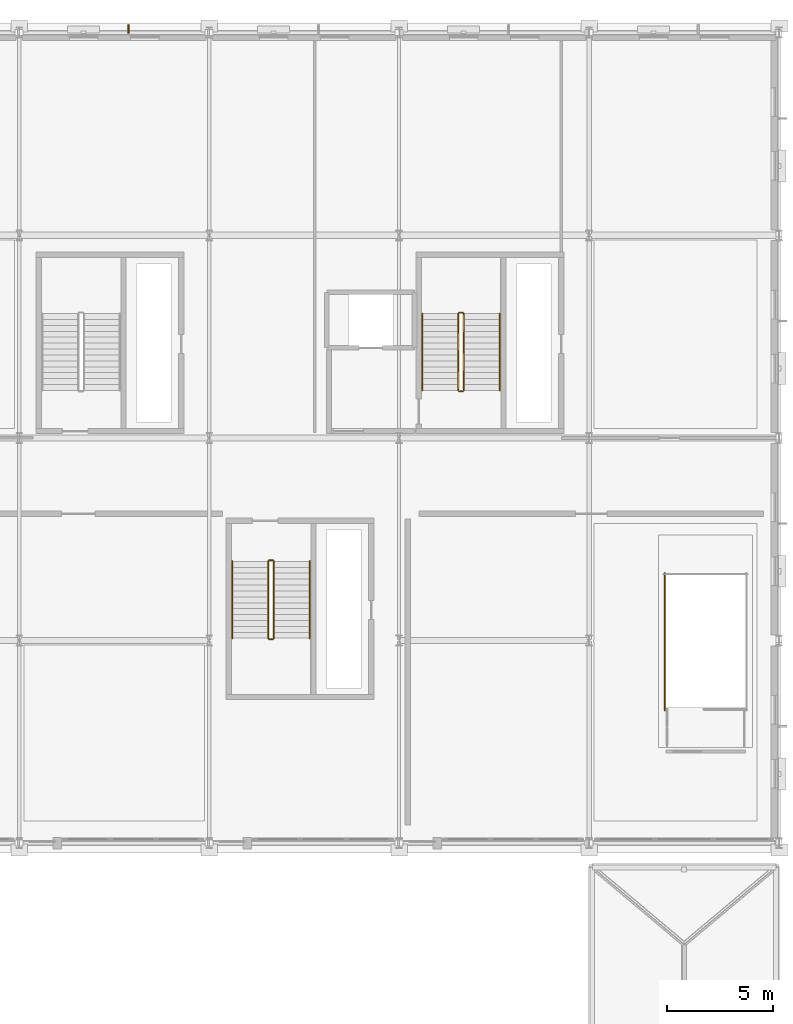
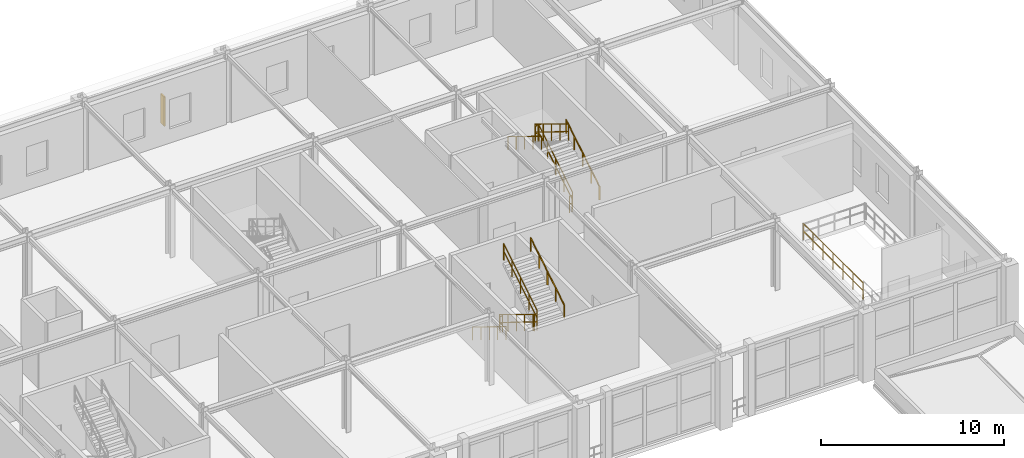
# One storey, part 123 of 125: 13 railings, 1 shading device.
"""IFC4 building model written with IfcOpenShell, lengths in metres."""

from ifc_helpers import new_model, si_unit, direction, frame, origin, origin_2d, place, context, subcontext, project, spatial, rectangle, extrude, material, type_object, element, save


model = new_model("IFC4")

# Units and contexts
model_context = context("Model", 3, precision=1e-05, world=origin(), true_north=direction((0.0, 1.0)))
body_context = subcontext(model_context, "Body", "Model", "MODEL_VIEW")
ifc_project = project(units=[si_unit("LENGTHUNIT", "METRE"), si_unit("AREAUNIT", "SQUARE_METRE"), si_unit("VOLUMEUNIT", "CUBIC_METRE"), si_unit("PLANEANGLEUNIT", "RADIAN"), si_unit("MASSUNIT", "GRAM", prefix="KILO")], contexts=[model_context])

# Site, building, storey
site_placement = place(None, origin())
site = spatial("IfcSite", under=ifc_project, at=site_placement, CompositionType="ELEMENT")
building_placement = place(site_placement, origin())
building = spatial("IfcBuilding", under=site, at=building_placement, Name="Myrtia Square Station", CompositionType="ELEMENT")
storey_placement = place(building_placement, frame((0.0, 0.0, 6.0)))
storey = spatial("IfcBuildingStorey", under=building, at=storey_placement, Name="L01", CompositionType="ELEMENT", Elevation=6.0)

# Railings
ifc_material_1 = material(Name="Dark bronze anodised aluminium", Category="aluminium")
railing_type_1 = type_object("IfcRailingType", Name="RL-HANDRAIL-900", PredefinedType="HANDRAIL", material=ifc_material_1)
railing_1_placement = place(storey_placement, frame((175.760009765625, 107.85009765625, 0.17138671875)))
element("IfcRailing", 1, at=railing_1_placement, inside=storey, type_object=railing_type_1, Name="L01 ST08 stair handrail 1", PredefinedType="HANDRAIL", context=body_context, shape_type="SweptSolid", body=[
    extrude(rectangle(XDim=0.048095703125, YDim=0.048095703125, at=origin_2d()), frame((0.0, 0.029541015625, 0.89404296875), z_axis=(0.0, 0.852850264322, 0.5221555579), x_axis=(-1.0, 0.0, 0.0)), (0.0, 0.0, 1.0), 0.997802734375),
    extrude(rectangle(XDim=0.048095703125, YDim=0.048095703125, at=origin_2d()), frame((0.0, 0.939453125, 1.451171875), z_axis=(0.0, 0.852850264322, 0.5221555579), x_axis=(-1.0, 0.0, 0.0)), (0.0, 0.0, 1.0), 0.997802734375),
    extrude(rectangle(XDim=0.048095703125, YDim=0.048095703125, at=origin_2d()), frame((0.0, 1.849609375, 2.00830078125), z_axis=(0.0, 0.852850264322, 0.5221555579), x_axis=(-1.0, 0.0, 0.0)), (0.0, 0.0, 1.0), 0.997802734375),
    extrude(rectangle(XDim=0.048095703125, YDim=0.048095703125, at=origin_2d()), frame((0.0, 2.759521484375, 2.5654296875), z_axis=(0.0, 0.852850264322, 0.5221555579), x_axis=(-1.0, 0.0, 0.0)), (0.0, 0.0, 1.0), 0.997802734375),
    extrude(rectangle(XDim=0.0439453125, YDim=0.0439453125, at=origin_2d()), origin(), (0.0, 0.0, 1.0), 0.89990234375),
    extrude(rectangle(XDim=0.0439453125, YDim=0.0439453125, at=origin_2d()), frame((0.0, 0.909912109375, 0.55712890625)), (0.0, 0.0, 1.0), 0.89990234375),
    extrude(rectangle(XDim=0.0439453125, YDim=0.0439453125, at=origin_2d()), frame((0.0, 1.81982421875, 1.1142578125)), (0.0, 0.0, 1.0), 0.89990234375),
    extrude(rectangle(XDim=0.0439453125, YDim=0.0439453125, at=origin_2d()), frame((0.0, 2.72998046875, 1.67138671875)), (0.0, 0.0, 1.0), 0.89990234375),
    extrude(rectangle(XDim=0.0439453125, YDim=0.0439453125, at=origin_2d()), frame((0.0, 3.639892578125, 2.228515625)), (0.0, 0.0, 1.0), 0.89990234375),
])
for number, where, name in (
    (2, (172.10009765625, 111.489990234375, 2.571533203125), "L01 ST08 stair handrail 2"),
    (3, (163.10009765625, 99.75, 0.17138671875), "L01 ST16 stair handrail 1"),
):
    element("IfcRailing", number, at=place(storey_placement, frame(where)), inside=storey, type_object=railing_type_1, Name=name, PredefinedType="HANDRAIL", context=body_context, shape_type="SweptSolid", body=[
        extrude(rectangle(XDim=0.048095703125, YDim=0.048095703125, at=origin_2d()), frame((0.0, -0.029541015625, 0.89404296875), z_axis=(0.0, -0.852850264322, 0.5221555579), x_axis=(1.0, 0.0, 0.0)), (0.0, 0.0, 1.0), 0.997802734375),
        extrude(rectangle(XDim=0.048095703125, YDim=0.048095703125, at=origin_2d()), frame((0.0, -0.939453125, 1.451171875), z_axis=(0.0, -0.852850264322, 0.5221555579), x_axis=(1.0, 0.0, 0.0)), (0.0, 0.0, 1.0), 0.997802734375),
        extrude(rectangle(XDim=0.048095703125, YDim=0.048095703125, at=origin_2d()), frame((0.0, -1.849609375, 2.00830078125), z_axis=(0.0, -0.852850264322, 0.5221555579), x_axis=(1.0, 0.0, 0.0)), (0.0, 0.0, 1.0), 0.997802734375),
        extrude(rectangle(XDim=0.048095703125, YDim=0.048095703125, at=origin_2d()), frame((0.0, -2.759521484375, 2.5654296875), z_axis=(0.0, -0.852850264322, 0.5221555579), x_axis=(1.0, 0.0, 0.0)), (0.0, 0.0, 1.0), 0.997802734375),
        extrude(rectangle(XDim=0.0439453125, YDim=0.0439453125, at=origin_2d()), origin(), (0.0, 0.0, 1.0), 0.89990234375),
        extrude(rectangle(XDim=0.0439453125, YDim=0.0439453125, at=origin_2d()), frame((0.0, -0.909912109375, 0.55712890625)), (0.0, 0.0, 1.0), 0.89990234375),
        extrude(rectangle(XDim=0.0439453125, YDim=0.0439453125, at=origin_2d()), frame((0.0, -1.81982421875, 1.1142578125)), (0.0, 0.0, 1.0), 0.89990234375),
        extrude(rectangle(XDim=0.0439453125, YDim=0.0439453125, at=origin_2d()), frame((0.0, -2.72998046875, 1.67138671875)), (0.0, 0.0, 1.0), 0.89990234375),
        extrude(rectangle(XDim=0.0439453125, YDim=0.0439453125, at=origin_2d()), frame((0.0, -3.639892578125, 2.228515625)), (0.0, 0.0, 1.0), 0.89990234375),
    ])
railing_2_placement = place(storey_placement, frame((166.760009765625, 96.110107421875, 2.571533203125)))
element("IfcRailing", 4, at=railing_2_placement, inside=storey, type_object=railing_type_1, Name="L01 ST16 stair handrail 2", PredefinedType="HANDRAIL", context=body_context, shape_type="SweptSolid", body=[
    extrude(rectangle(XDim=0.048095703125, YDim=0.048095703125, at=origin_2d()), frame((0.0, 0.029541015625, 0.89404296875), z_axis=(0.0, 0.852850264322, 0.5221555579), x_axis=(-1.0, 0.0, 0.0)), (0.0, 0.0, 1.0), 0.997802734375),
    extrude(rectangle(XDim=0.048095703125, YDim=0.048095703125, at=origin_2d()), frame((0.0, 0.939453125, 1.451171875), z_axis=(0.0, 0.852850264322, 0.5221555579), x_axis=(-1.0, 0.0, 0.0)), (0.0, 0.0, 1.0), 0.997802734375),
    extrude(rectangle(XDim=0.048095703125, YDim=0.048095703125, at=origin_2d()), frame((0.0, 1.849609375, 2.00830078125), z_axis=(0.0, 0.852850264322, 0.5221555579), x_axis=(-1.0, 0.0, 0.0)), (0.0, 0.0, 1.0), 0.997802734375),
    extrude(rectangle(XDim=0.048095703125, YDim=0.048095703125, at=origin_2d()), frame((0.0, 2.759521484375, 2.5654296875), z_axis=(0.0, 0.852850264322, 0.5221555579), x_axis=(-1.0, 0.0, 0.0)), (0.0, 0.0, 1.0), 0.997802734375),
    extrude(rectangle(XDim=0.0439453125, YDim=0.0439453125, at=origin_2d()), origin(), (0.0, 0.0, 1.0), 0.89990234375),
    extrude(rectangle(XDim=0.0439453125, YDim=0.0439453125, at=origin_2d()), frame((0.0, 0.909912109375, 0.55712890625)), (0.0, 0.0, 1.0), 0.89990234375),
    extrude(rectangle(XDim=0.0439453125, YDim=0.0439453125, at=origin_2d()), frame((0.0, 1.81982421875, 1.1142578125)), (0.0, 0.0, 1.0), 0.89990234375),
    extrude(rectangle(XDim=0.0439453125, YDim=0.0439453125, at=origin_2d()), frame((0.0, 2.72998046875, 1.67138671875)), (0.0, 0.0, 1.0), 0.89990234375),
    extrude(rectangle(XDim=0.0439453125, YDim=0.0439453125, at=origin_2d()), frame((0.0, 3.639892578125, 2.228515625)), (0.0, 0.0, 1.0), 0.89990234375),
])
ifc_material_2 = material(Name="Wrought iron", Category="steel")
railing_type_2 = type_object("IfcRailingType", Name="RL-INT-GUARD-1100", PredefinedType="BALUSTRADE", material=ifc_material_2)
railing_3_placement = place(storey_placement, frame((174.06005859375, 107.85009765625, 0.17138671875)))
element("IfcRailing", 5, at=railing_3_placement, inside=storey, type_object=railing_type_2, Name="L01 ST08 stair guard 1", PredefinedType="BALUSTRADE", context=body_context, shape_type="SweptSolid", body=[
    extrude(rectangle(XDim=0.048095703125, YDim=0.048095703125, at=origin_2d()), frame((0.0, 0.029541015625, 1.1142578125), z_axis=(0.0, 0.852850264322, 0.5221555579), x_axis=(-1.0, 0.0, 0.0)), (0.0, 0.0, 1.0), 0.997802734375),
    extrude(rectangle(XDim=0.048095703125, YDim=0.048095703125, at=origin_2d()), frame((0.0, 0.029541015625, 0.6005859375), z_axis=(0.0, 0.852850264322, 0.5221555579), x_axis=(-1.0, 0.0, 0.0)), (0.0, 0.0, 1.0), 0.997802734375),
    extrude(rectangle(XDim=0.048095703125, YDim=0.048095703125, at=origin_2d()), frame((0.0, 0.939453125, 1.67138671875), z_axis=(0.0, 0.852850264322, 0.5221555579), x_axis=(-1.0, 0.0, 0.0)), (0.0, 0.0, 1.0), 0.997802734375),
    extrude(rectangle(XDim=0.048095703125, YDim=0.048095703125, at=origin_2d()), frame((0.0, 0.939453125, 1.15771484375), z_axis=(0.0, 0.852850264322, 0.5221555579), x_axis=(-1.0, 0.0, 0.0)), (0.0, 0.0, 1.0), 0.997802734375),
    extrude(rectangle(XDim=0.048095703125, YDim=0.048095703125, at=origin_2d()), frame((0.0, 1.849609375, 2.228515625), z_axis=(0.0, 0.852850264322, 0.5221555579), x_axis=(-1.0, 0.0, 0.0)), (0.0, 0.0, 1.0), 0.997802734375),
    extrude(rectangle(XDim=0.048095703125, YDim=0.048095703125, at=origin_2d()), frame((0.0, 1.849609375, 1.71484375), z_axis=(0.0, 0.852850264322, 0.5221555579), x_axis=(-1.0, 0.0, 0.0)), (0.0, 0.0, 1.0), 0.997802734375),
    extrude(rectangle(XDim=0.048095703125, YDim=0.048095703125, at=origin_2d()), frame((0.0, 2.759521484375, 2.78564453125), z_axis=(0.0, 0.852850264322, 0.5221555579), x_axis=(-1.0, 0.0, 0.0)), (0.0, 0.0, 1.0), 0.997802734375),
    extrude(rectangle(XDim=0.048095703125, YDim=0.048095703125, at=origin_2d()), frame((0.0, 2.759521484375, 2.27197265625), z_axis=(0.0, 0.852850264322, 0.5221555579), x_axis=(-1.0, 0.0, 0.0)), (0.0, 0.0, 1.0), 0.997802734375),
    extrude(rectangle(XDim=0.0439453125, YDim=0.0439453125, at=origin_2d()), origin(), (0.0, 0.0, 1.0), 1.1201171875),
    extrude(rectangle(XDim=0.0439453125, YDim=0.0439453125, at=origin_2d()), frame((0.0, 0.909912109375, 0.55712890625)), (0.0, 0.0, 1.0), 1.1201171875),
    extrude(rectangle(XDim=0.0439453125, YDim=0.0439453125, at=origin_2d()), frame((0.0, 1.81982421875, 1.1142578125)), (0.0, 0.0, 1.0), 1.1201171875),
    extrude(rectangle(XDim=0.0439453125, YDim=0.0439453125, at=origin_2d()), frame((0.0, 2.72998046875, 1.67138671875)), (0.0, 0.0, 1.0), 1.1201171875),
    extrude(rectangle(XDim=0.0439453125, YDim=0.0439453125, at=origin_2d()), frame((0.0, 3.639892578125, 2.228515625)), (0.0, 0.0, 1.0), 1.1201171875),
])
railing_4_placement = place(storey_placement, frame((174.010009765625, 111.5400390625, 2.39990234375)))
element("IfcRailing", 6, at=railing_4_placement, inside=storey, type_object=railing_type_2, Name="L01 ST08 stair guard 2", PredefinedType="BALUSTRADE", context=body_context, shape_type="SweptSolid", body=[
    extrude(rectangle(XDim=0.048095703125, YDim=0.048095703125, at=origin_2d()), frame((-0.03466796875, 0.0, 1.09619140625), z_axis=(-1.0, 0.0, 0.0), x_axis=(0.0, -1.0, 0.0)), (0.0, 0.0, 1.0), 0.090576171875),
    extrude(rectangle(XDim=0.048095703125, YDim=0.048095703125, at=origin_2d()), frame((-0.03466796875, 0.0, 0.58251953125), z_axis=(-1.0, 0.0, 0.0), x_axis=(0.0, -1.0, 0.0)), (0.0, 0.0, 1.0), 0.090576171875),
    extrude(rectangle(XDim=0.0439453125, YDim=0.0439453125, at=origin_2d()), origin(), (0.0, 0.0, 1.0), 1.1201171875),
    extrude(rectangle(XDim=0.0439453125, YDim=0.0439453125, at=origin_2d()), frame((-0.159912109375, 0.0, 0.0)), (0.0, 0.0, 1.0), 1.1201171875),
])
railing_5_placement = place(storey_placement, frame((173.800048828125, 111.489990234375, 2.571533203125)))
element("IfcRailing", 7, at=railing_5_placement, inside=storey, type_object=railing_type_2, Name="L01 ST08 stair guard 3", PredefinedType="BALUSTRADE", context=body_context, shape_type="SweptSolid", body=[
    extrude(rectangle(XDim=0.048095703125, YDim=0.048095703125, at=origin_2d()), frame((0.0, -0.029541015625, 1.1142578125), z_axis=(0.0, -0.852850264322, 0.5221555579), x_axis=(1.0, 0.0, 0.0)), (0.0, 0.0, 1.0), 0.997802734375),
    extrude(rectangle(XDim=0.048095703125, YDim=0.048095703125, at=origin_2d()), frame((0.0, -0.029541015625, 0.6005859375), z_axis=(0.0, -0.852850264322, 0.5221555579), x_axis=(1.0, 0.0, 0.0)), (0.0, 0.0, 1.0), 0.997802734375),
    extrude(rectangle(XDim=0.048095703125, YDim=0.048095703125, at=origin_2d()), frame((0.0, -0.939453125, 1.67138671875), z_axis=(0.0, -0.852850264322, 0.5221555579), x_axis=(1.0, 0.0, 0.0)), (0.0, 0.0, 1.0), 0.997802734375),
    extrude(rectangle(XDim=0.048095703125, YDim=0.048095703125, at=origin_2d()), frame((0.0, -0.939453125, 1.15771484375), z_axis=(0.0, -0.852850264322, 0.5221555579), x_axis=(1.0, 0.0, 0.0)), (0.0, 0.0, 1.0), 0.997802734375),
    extrude(rectangle(XDim=0.048095703125, YDim=0.048095703125, at=origin_2d()), frame((0.0, -1.849609375, 2.228515625), z_axis=(0.0, -0.852850264322, 0.5221555579), x_axis=(1.0, 0.0, 0.0)), (0.0, 0.0, 1.0), 0.997802734375),
    extrude(rectangle(XDim=0.048095703125, YDim=0.048095703125, at=origin_2d()), frame((0.0, -1.849609375, 1.71484375), z_axis=(0.0, -0.852850264322, 0.5221555579), x_axis=(1.0, 0.0, 0.0)), (0.0, 0.0, 1.0), 0.997802734375),
    extrude(rectangle(XDim=0.048095703125, YDim=0.048095703125, at=origin_2d()), frame((0.0, -2.759521484375, 2.78564453125), z_axis=(0.0, -0.852850264322, 0.5221555579), x_axis=(1.0, 0.0, 0.0)), (0.0, 0.0, 1.0), 0.997802734375),
    extrude(rectangle(XDim=0.048095703125, YDim=0.048095703125, at=origin_2d()), frame((0.0, -2.759521484375, 2.27197265625), z_axis=(0.0, -0.852850264322, 0.5221555579), x_axis=(1.0, 0.0, 0.0)), (0.0, 0.0, 1.0), 0.997802734375),
    extrude(rectangle(XDim=0.0439453125, YDim=0.0439453125, at=origin_2d()), origin(), (0.0, 0.0, 1.0), 1.1201171875),
    extrude(rectangle(XDim=0.0439453125, YDim=0.0439453125, at=origin_2d()), frame((0.0, -0.909912109375, 0.55712890625)), (0.0, 0.0, 1.0), 1.1201171875),
    extrude(rectangle(XDim=0.0439453125, YDim=0.0439453125, at=origin_2d()), frame((0.0, -1.81982421875, 1.1142578125)), (0.0, 0.0, 1.0), 1.1201171875),
    extrude(rectangle(XDim=0.0439453125, YDim=0.0439453125, at=origin_2d()), frame((0.0, -2.72998046875, 1.67138671875)), (0.0, 0.0, 1.0), 1.1201171875),
    extrude(rectangle(XDim=0.0439453125, YDim=0.0439453125, at=origin_2d()), frame((0.0, -3.639892578125, 2.228515625)), (0.0, 0.0, 1.0), 1.1201171875),
])
railing_6_placement = place(storey_placement, frame((174.010009765625, 107.800048828125, 0.0)))
element("IfcRailing", 8, at=railing_6_placement, inside=storey, type_object=railing_type_2, Name="L01 ST08 stair guard 4", PredefinedType="BALUSTRADE", context=body_context, shape_type="SweptSolid", body=[
    extrude(rectangle(XDim=0.048095703125, YDim=0.048095703125, at=origin_2d()), frame((-0.03466796875, 0.0, 1.09619140625), z_axis=(-1.0, 0.0, 0.0), x_axis=(0.0, -1.0, 0.0)), (0.0, 0.0, 1.0), 0.090576171875),
    extrude(rectangle(XDim=0.048095703125, YDim=0.048095703125, at=origin_2d()), frame((-0.03466796875, 0.0, 0.58251953125), z_axis=(-1.0, 0.0, 0.0), x_axis=(0.0, -1.0, 0.0)), (0.0, 0.0, 1.0), 0.090576171875),
    extrude(rectangle(XDim=0.0439453125, YDim=0.0439453125, at=origin_2d()), origin(), (0.0, 0.0, 1.0), 1.1201171875),
    extrude(rectangle(XDim=0.0439453125, YDim=0.0439453125, at=origin_2d()), frame((-0.159912109375, 0.0, 0.0)), (0.0, 0.0, 1.0), 1.1201171875),
])
railing_7_placement = place(storey_placement, frame((164.800048828125, 99.75, 0.17138671875)))
element("IfcRailing", 9, at=railing_7_placement, inside=storey, type_object=railing_type_2, Name="L01 ST16 stair guard 1", PredefinedType="BALUSTRADE", context=body_context, shape_type="SweptSolid", body=[
    extrude(rectangle(XDim=0.048095703125, YDim=0.048095703125, at=origin_2d()), frame((0.0, -0.029541015625, 1.1142578125), z_axis=(0.0, -0.852850264322, 0.5221555579), x_axis=(1.0, 0.0, 0.0)), (0.0, 0.0, 1.0), 0.997802734375),
    extrude(rectangle(XDim=0.048095703125, YDim=0.048095703125, at=origin_2d()), frame((0.0, -0.029541015625, 0.6005859375), z_axis=(0.0, -0.852850264322, 0.5221555579), x_axis=(1.0, 0.0, 0.0)), (0.0, 0.0, 1.0), 0.997802734375),
    extrude(rectangle(XDim=0.048095703125, YDim=0.048095703125, at=origin_2d()), frame((0.0, -0.939453125, 1.67138671875), z_axis=(0.0, -0.852850264322, 0.5221555579), x_axis=(1.0, 0.0, 0.0)), (0.0, 0.0, 1.0), 0.997802734375),
    extrude(rectangle(XDim=0.048095703125, YDim=0.048095703125, at=origin_2d()), frame((0.0, -0.939453125, 1.15771484375), z_axis=(0.0, -0.852850264322, 0.5221555579), x_axis=(1.0, 0.0, 0.0)), (0.0, 0.0, 1.0), 0.997802734375),
    extrude(rectangle(XDim=0.048095703125, YDim=0.048095703125, at=origin_2d()), frame((0.0, -1.849609375, 2.228515625), z_axis=(0.0, -0.852850264322, 0.5221555579), x_axis=(1.0, 0.0, 0.0)), (0.0, 0.0, 1.0), 0.997802734375),
    extrude(rectangle(XDim=0.048095703125, YDim=0.048095703125, at=origin_2d()), frame((0.0, -1.849609375, 1.71484375), z_axis=(0.0, -0.852850264322, 0.5221555579), x_axis=(1.0, 0.0, 0.0)), (0.0, 0.0, 1.0), 0.997802734375),
    extrude(rectangle(XDim=0.048095703125, YDim=0.048095703125, at=origin_2d()), frame((0.0, -2.759521484375, 2.78564453125), z_axis=(0.0, -0.852850264322, 0.5221555579), x_axis=(1.0, 0.0, 0.0)), (0.0, 0.0, 1.0), 0.997802734375),
    extrude(rectangle(XDim=0.048095703125, YDim=0.048095703125, at=origin_2d()), frame((0.0, -2.759521484375, 2.27197265625), z_axis=(0.0, -0.852850264322, 0.5221555579), x_axis=(1.0, 0.0, 0.0)), (0.0, 0.0, 1.0), 0.997802734375),
    extrude(rectangle(XDim=0.0439453125, YDim=0.0439453125, at=origin_2d()), origin(), (0.0, 0.0, 1.0), 1.1201171875),
    extrude(rectangle(XDim=0.0439453125, YDim=0.0439453125, at=origin_2d()), frame((0.0, -0.909912109375, 0.55712890625)), (0.0, 0.0, 1.0), 1.1201171875),
    extrude(rectangle(XDim=0.0439453125, YDim=0.0439453125, at=origin_2d()), frame((0.0, -1.81982421875, 1.1142578125)), (0.0, 0.0, 1.0), 1.1201171875),
    extrude(rectangle(XDim=0.0439453125, YDim=0.0439453125, at=origin_2d()), frame((0.0, -2.72998046875, 1.67138671875)), (0.0, 0.0, 1.0), 1.1201171875),
    extrude(rectangle(XDim=0.0439453125, YDim=0.0439453125, at=origin_2d()), frame((0.0, -3.639892578125, 2.228515625)), (0.0, 0.0, 1.0), 1.1201171875),
])
railing_8_placement = place(storey_placement, frame((164.85009765625, 96.06005859375, 2.39990234375)))
element("IfcRailing", 10, at=railing_8_placement, inside=storey, type_object=railing_type_2, Name="L01 ST16 stair guard 2", PredefinedType="BALUSTRADE", context=body_context, shape_type="SweptSolid", body=[
    extrude(rectangle(XDim=0.048095703125, YDim=0.048095703125, at=origin_2d()), frame((0.03466796875, 0.0, 1.09619140625), z_axis=(1.0, 0.0, 0.0), x_axis=(0.0, 1.0, 0.0)), (0.0, 0.0, 1.0), 0.090576171875),
    extrude(rectangle(XDim=0.048095703125, YDim=0.048095703125, at=origin_2d()), frame((0.03466796875, 0.0, 0.58251953125), z_axis=(1.0, 0.0, 0.0), x_axis=(0.0, 1.0, 0.0)), (0.0, 0.0, 1.0), 0.090576171875),
    extrude(rectangle(XDim=0.0439453125, YDim=0.0439453125, at=origin_2d()), origin(), (0.0, 0.0, 1.0), 1.1201171875),
    extrude(rectangle(XDim=0.0439453125, YDim=0.0439453125, at=origin_2d()), frame((0.159912109375, 0.0, 0.0)), (0.0, 0.0, 1.0), 1.1201171875),
])
railing_9_placement = place(storey_placement, frame((165.06005859375, 96.110107421875, 2.571533203125)))
element("IfcRailing", 11, at=railing_9_placement, inside=storey, type_object=railing_type_2, Name="L01 ST16 stair guard 3", PredefinedType="BALUSTRADE", context=body_context, shape_type="SweptSolid", body=[
    extrude(rectangle(XDim=0.048095703125, YDim=0.048095703125, at=origin_2d()), frame((0.0, 0.029541015625, 1.1142578125), z_axis=(0.0, 0.852850264322, 0.5221555579), x_axis=(-1.0, 0.0, 0.0)), (0.0, 0.0, 1.0), 0.997802734375),
    extrude(rectangle(XDim=0.048095703125, YDim=0.048095703125, at=origin_2d()), frame((0.0, 0.029541015625, 0.6005859375), z_axis=(0.0, 0.852850264322, 0.5221555579), x_axis=(-1.0, 0.0, 0.0)), (0.0, 0.0, 1.0), 0.997802734375),
    extrude(rectangle(XDim=0.048095703125, YDim=0.048095703125, at=origin_2d()), frame((0.0, 0.939453125, 1.67138671875), z_axis=(0.0, 0.852850264322, 0.5221555579), x_axis=(-1.0, 0.0, 0.0)), (0.0, 0.0, 1.0), 0.997802734375),
    extrude(rectangle(XDim=0.048095703125, YDim=0.048095703125, at=origin_2d()), frame((0.0, 0.939453125, 1.15771484375), z_axis=(0.0, 0.852850264322, 0.5221555579), x_axis=(-1.0, 0.0, 0.0)), (0.0, 0.0, 1.0), 0.997802734375),
    extrude(rectangle(XDim=0.048095703125, YDim=0.048095703125, at=origin_2d()), frame((0.0, 1.849609375, 2.228515625), z_axis=(0.0, 0.852850264322, 0.5221555579), x_axis=(-1.0, 0.0, 0.0)), (0.0, 0.0, 1.0), 0.997802734375),
    extrude(rectangle(XDim=0.048095703125, YDim=0.048095703125, at=origin_2d()), frame((0.0, 1.849609375, 1.71484375), z_axis=(0.0, 0.852850264322, 0.5221555579), x_axis=(-1.0, 0.0, 0.0)), (0.0, 0.0, 1.0), 0.997802734375),
    extrude(rectangle(XDim=0.048095703125, YDim=0.048095703125, at=origin_2d()), frame((0.0, 2.759521484375, 2.78564453125), z_axis=(0.0, 0.852850264322, 0.5221555579), x_axis=(-1.0, 0.0, 0.0)), (0.0, 0.0, 1.0), 0.997802734375),
    extrude(rectangle(XDim=0.048095703125, YDim=0.048095703125, at=origin_2d()), frame((0.0, 2.759521484375, 2.27197265625), z_axis=(0.0, 0.852850264322, 0.5221555579), x_axis=(-1.0, 0.0, 0.0)), (0.0, 0.0, 1.0), 0.997802734375),
    extrude(rectangle(XDim=0.0439453125, YDim=0.0439453125, at=origin_2d()), origin(), (0.0, 0.0, 1.0), 1.1201171875),
    extrude(rectangle(XDim=0.0439453125, YDim=0.0439453125, at=origin_2d()), frame((0.0, 0.909912109375, 0.55712890625)), (0.0, 0.0, 1.0), 1.1201171875),
    extrude(rectangle(XDim=0.0439453125, YDim=0.0439453125, at=origin_2d()), frame((0.0, 1.81982421875, 1.1142578125)), (0.0, 0.0, 1.0), 1.1201171875),
    extrude(rectangle(XDim=0.0439453125, YDim=0.0439453125, at=origin_2d()), frame((0.0, 2.72998046875, 1.67138671875)), (0.0, 0.0, 1.0), 1.1201171875),
    extrude(rectangle(XDim=0.0439453125, YDim=0.0439453125, at=origin_2d()), frame((0.0, 3.639892578125, 2.228515625)), (0.0, 0.0, 1.0), 1.1201171875),
])
railing_10_placement = place(storey_placement, frame((164.85009765625, 99.800048828125, 0.0)))
element("IfcRailing", 12, at=railing_10_placement, inside=storey, type_object=railing_type_2, Name="L01 ST16 stair guard 4", PredefinedType="BALUSTRADE", context=body_context, shape_type="SweptSolid", body=[
    extrude(rectangle(XDim=0.048095703125, YDim=0.048095703125, at=origin_2d()), frame((0.03466796875, 0.0, 1.09619140625), z_axis=(1.0, 0.0, 0.0), x_axis=(0.0, 1.0, 0.0)), (0.0, 0.0, 1.0), 0.090576171875),
    extrude(rectangle(XDim=0.048095703125, YDim=0.048095703125, at=origin_2d()), frame((0.03466796875, 0.0, 0.58251953125), z_axis=(1.0, 0.0, 0.0), x_axis=(0.0, 1.0, 0.0)), (0.0, 0.0, 1.0), 0.090576171875),
    extrude(rectangle(XDim=0.0439453125, YDim=0.0439453125, at=origin_2d()), origin(), (0.0, 0.0, 1.0), 1.1201171875),
    extrude(rectangle(XDim=0.0439453125, YDim=0.0439453125, at=origin_2d()), frame((0.159912109375, 0.0, 0.0)), (0.0, 0.0, 1.0), 1.1201171875),
])
railing_11_placement = place(storey_placement, frame((183.590087890625, 92.699951171875, 0.0)))
element("IfcRailing", 13, at=railing_11_placement, inside=storey, type_object=railing_type_2, Name="L01 ST72 top well guard 3", PredefinedType="BALUSTRADE", context=body_context, shape_type="SweptSolid", body=[
    extrude(rectangle(XDim=0.048095703125, YDim=0.048095703125, at=origin_2d()), frame((0.0, 0.03466796875, 1.09619140625), z_axis=(0.0, 1.0, 0.0), x_axis=(-1.0, 0.0, 0.0)), (0.0, 0.0, 1.0), 1.01416015625),
    extrude(rectangle(XDim=0.048095703125, YDim=0.048095703125, at=origin_2d()), frame((0.0, 0.03466796875, 0.58251953125), z_axis=(0.0, 1.0, 0.0), x_axis=(-1.0, 0.0, 0.0)), (0.0, 0.0, 1.0), 1.01416015625),
    extrude(rectangle(XDim=0.048095703125, YDim=0.048095703125, at=origin_2d()), frame((0.0, 1.117919921875, 1.09619140625), z_axis=(0.0, 1.0, 0.0), x_axis=(-1.0, 0.0, 0.0)), (0.0, 0.0, 1.0), 1.01416015625),
    extrude(rectangle(XDim=0.048095703125, YDim=0.048095703125, at=origin_2d()), frame((0.0, 1.117919921875, 0.58251953125), z_axis=(0.0, 1.0, 0.0), x_axis=(-1.0, 0.0, 0.0)), (0.0, 0.0, 1.0), 1.01416015625),
    extrude(rectangle(XDim=0.048095703125, YDim=0.048095703125, at=origin_2d()), frame((0.0, 2.201416015625, 1.09619140625), z_axis=(0.0, 1.0, 0.0), x_axis=(-1.0, 0.0, 0.0)), (0.0, 0.0, 1.0), 1.01416015625),
    extrude(rectangle(XDim=0.048095703125, YDim=0.048095703125, at=origin_2d()), frame((0.0, 2.201416015625, 0.58251953125), z_axis=(0.0, 1.0, 0.0), x_axis=(-1.0, 0.0, 0.0)), (0.0, 0.0, 1.0), 1.01416015625),
    extrude(rectangle(XDim=0.048095703125, YDim=0.048095703125, at=origin_2d()), frame((0.0, 3.28466796875, 1.09619140625), z_axis=(0.0, 1.0, 0.0), x_axis=(-1.0, 0.0, 0.0)), (0.0, 0.0, 1.0), 1.01416015625),
    extrude(rectangle(XDim=0.048095703125, YDim=0.048095703125, at=origin_2d()), frame((0.0, 3.28466796875, 0.58251953125), z_axis=(0.0, 1.0, 0.0), x_axis=(-1.0, 0.0, 0.0)), (0.0, 0.0, 1.0), 1.01416015625),
    extrude(rectangle(XDim=0.048095703125, YDim=0.048095703125, at=origin_2d()), frame((0.0, 4.367919921875, 1.09619140625), z_axis=(0.0, 1.0, 0.0), x_axis=(-1.0, 0.0, 0.0)), (0.0, 0.0, 1.0), 1.01416015625),
    extrude(rectangle(XDim=0.048095703125, YDim=0.048095703125, at=origin_2d()), frame((0.0, 4.367919921875, 0.58251953125), z_axis=(0.0, 1.0, 0.0), x_axis=(-1.0, 0.0, 0.0)), (0.0, 0.0, 1.0), 1.01416015625),
    extrude(rectangle(XDim=0.048095703125, YDim=0.048095703125, at=origin_2d()), frame((0.0, 5.451416015625, 1.09619140625), z_axis=(0.0, 1.0, 0.0), x_axis=(-1.0, 0.0, 0.0)), (0.0, 0.0, 1.0), 1.01416015625),
    extrude(rectangle(XDim=0.048095703125, YDim=0.048095703125, at=origin_2d()), frame((0.0, 5.451416015625, 0.58251953125), z_axis=(0.0, 1.0, 0.0), x_axis=(-1.0, 0.0, 0.0)), (0.0, 0.0, 1.0), 1.01416015625),
    extrude(rectangle(XDim=0.0439453125, YDim=0.0439453125, at=origin_2d()), origin(), (0.0, 0.0, 1.0), 1.1201171875),
    extrude(rectangle(XDim=0.0439453125, YDim=0.0439453125, at=origin_2d()), frame((0.0, 1.083251953125, 0.0)), (0.0, 0.0, 1.0), 1.1201171875),
    extrude(rectangle(XDim=0.0439453125, YDim=0.0439453125, at=origin_2d()), frame((0.0, 2.166748046875, 0.0)), (0.0, 0.0, 1.0), 1.1201171875),
    extrude(rectangle(XDim=0.0439453125, YDim=0.0439453125, at=origin_2d()), frame((0.0, 3.25, 0.0)), (0.0, 0.0, 1.0), 1.1201171875),
    extrude(rectangle(XDim=0.0439453125, YDim=0.0439453125, at=origin_2d()), frame((0.0, 4.333251953125, 0.0)), (0.0, 0.0, 1.0), 1.1201171875),
    extrude(rectangle(XDim=0.0439453125, YDim=0.0439453125, at=origin_2d()), frame((0.0, 5.416748046875, 0.0)), (0.0, 0.0, 1.0), 1.1201171875),
    extrude(rectangle(XDim=0.0439453125, YDim=0.0439453125, at=origin_2d()), frame((0.0, 6.5, 0.0)), (0.0, 0.0, 1.0), 1.1201171875),
])

# Shading device
shading_device_type = type_object("IfcShadingDeviceType", Name="SHD-FIN-BRONZE", PredefinedType="USERDEFINED", material=ifc_material_1)
shading_device_placement = place(storey_placement, frame((158.173095703125, 124.969970703125, 0.9501953125), z_axis=(0.0, 0.0, 1.0), x_axis=(1.0, 0.0, 0.0)))
element("IfcShadingDevice", 14, at=shading_device_placement, inside=storey, type_object=shading_device_type, Name="Vertical bronze solar fin SHF-047", ObjectType="FIN", PredefinedType="USERDEFINED", context=body_context, shape_type="SweptSolid", body=[
    extrude(rectangle(XDim=0.080078125, YDim=0.389892578125, at=origin_2d()), origin(), (0.0, 0.0, 1.0), 1.949951171875),
])

save(model, "model.ifc")
